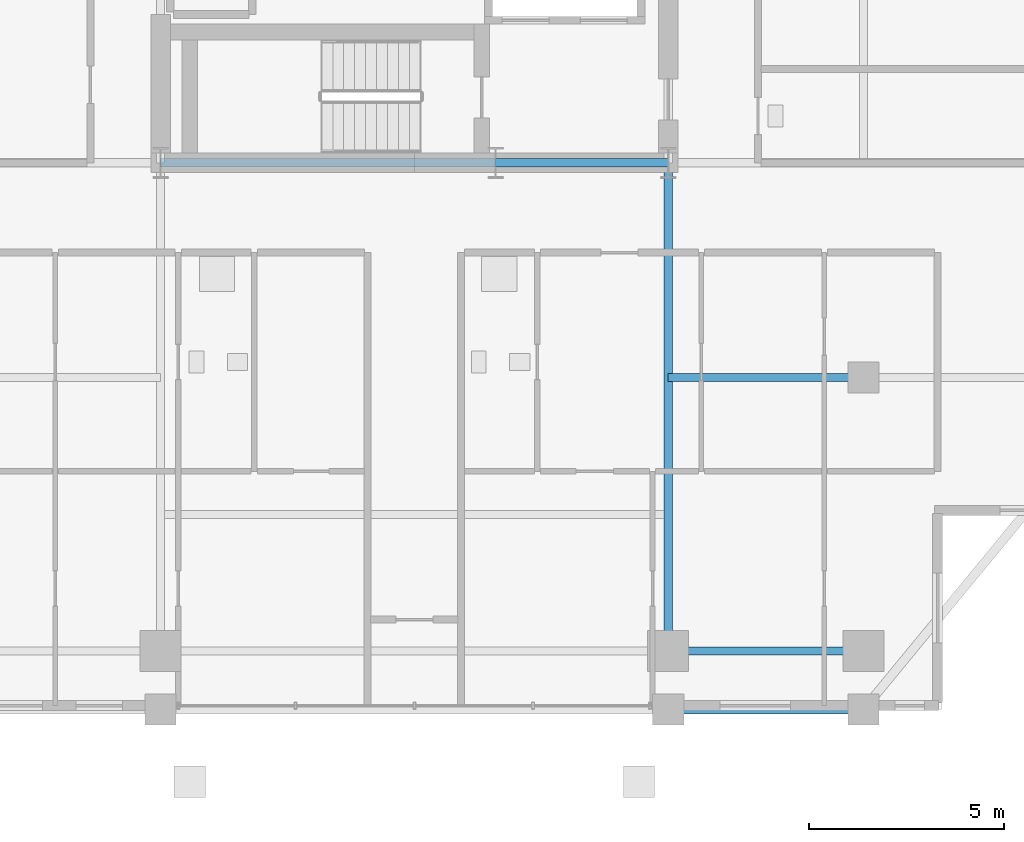
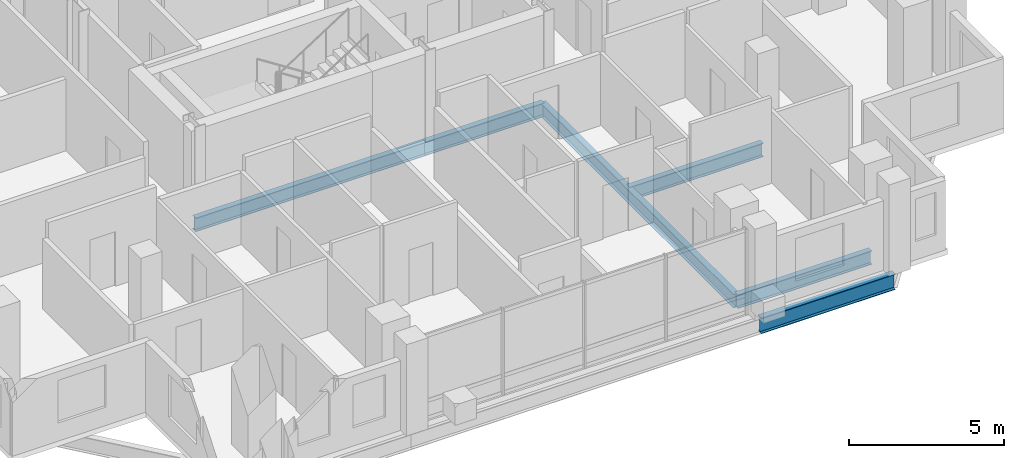
# One storey, part 5 of 24: 6 beams.
"""IFC4 building model written with IfcOpenShell, lengths in metres."""

from ifc_helpers import new_model, si_unit, direction, frame, origin, origin_2d, place, context, subcontext, project, spatial, i_section, extrude, material, material_profile, profile_set, type_object, element, save


model = new_model("IFC4")

# Units and contexts
model_context = context("Model", 3, precision=1e-05, world=origin(), true_north=direction((0.0, 1.0)))
body_context = subcontext(model_context, "Body", "Model", "MODEL_VIEW")
ifc_project = project(units=[si_unit("LENGTHUNIT", "METRE"), si_unit("AREAUNIT", "SQUARE_METRE"), si_unit("VOLUMEUNIT", "CUBIC_METRE"), si_unit("PLANEANGLEUNIT", "RADIAN"), si_unit("MASSUNIT", "GRAM", prefix="KILO")], contexts=[model_context])

# Site, building, storey
site_placement = place(None, origin())
site = spatial("IfcSite", under=ifc_project, at=site_placement, CompositionType="ELEMENT")
building_placement = place(site_placement, origin())
building = spatial("IfcBuilding", under=site, at=building_placement, Name="Barlavira Tower and Art Museum", CompositionType="ELEMENT")
storey_placement = place(building_placement, frame((0.0, 0.0, 201.60009765625)))
storey = spatial("IfcBuildingStorey", under=building, at=storey_placement, Name="L52", CompositionType="ELEMENT", Elevation=201.60009765625)

# Beams
ifc_material = material(Name="Steel S355", Category="steel")
ifc_material_profile_1 = material_profile(ifc_material, i_section(OverallWidth=0.22998046875, OverallDepth=0.616943359375, WebThickness=0.01318359375, FlangeThickness=0.022216796875, at=origin_2d()), Name="W610x140.0")
ifc_profile_set_1 = profile_set([ifc_material_profile_1], Name="Steel S355")
beam_type_1 = type_object("IfcBeamType", Name="Upper Shaft Spandrel Edge Beam W610x140 Steel S355", PredefinedType="SPANDREL", material=ifc_profile_set_1)
beam_1_placement = place(storey_placement, frame((6.5, -21.5, -0.528564453125), z_axis=(1.0, 0.0, 0.0), x_axis=(0.0, 1.0, 0.0)))
element("IfcBeam", 1, at=beam_1_placement, inside=storey, type_object=beam_type_1, Name="L52 Spandrel 3", PredefinedType="SPANDREL", context=body_context, shape_type="SweptSolid", body=[
    extrude(i_section(OverallWidth=0.22998046875, OverallDepth=0.616943359375, WebThickness=0.01318359375, FlangeThickness=0.022216796875, at=origin_2d()), origin(), (0.0, 0.0, 1.0), 5.0),
])
ifc_material_profile_2 = material_profile(ifc_material, i_section(OverallWidth=0.2109375, OverallDepth=0.5390625, WebThickness=0.01171875, FlangeThickness=0.018798828125, at=origin_2d()), Name="W530x109.0")
ifc_profile_set_2 = profile_set([ifc_material_profile_2], Name="Steel S355")
beam_type_2 = type_object("IfcBeamType", Name="Zone 3-4 Primary Floor Girder W530x109 Steel S355", PredefinedType="BEAM", material=ifc_profile_set_2)
beam_2_placement = place(storey_placement, frame((-6.5, -7.5, -0.489501953125), z_axis=(1.0, 0.0, 0.0), x_axis=(0.0, 1.0, 0.0)))
element("IfcBeam", 2, at=beam_2_placement, inside=storey, type_object=beam_type_2, Name="L52 Girder C-S1", PredefinedType="BEAM", context=body_context, shape_type="SweptSolid", body=[
    extrude(i_section(OverallWidth=0.2109375, OverallDepth=0.5390625, WebThickness=0.01171875, FlangeThickness=0.018798828125, at=origin_2d()), origin(), (0.0, 0.0, 1.0), 8.580078125),
])
beam_3_placement = place(storey_placement, frame((2.080078125, -7.5, -0.489501953125), z_axis=(1.0, 0.0, 0.0), x_axis=(0.0, 1.0, 0.0)))
element("IfcBeam", 3, at=beam_3_placement, inside=storey, type_object=beam_type_2, Name="L52 Girder C-S2", PredefinedType="BEAM", context=body_context, shape_type="SweptSolid", body=[
    extrude(i_section(OverallWidth=0.2109375, OverallDepth=0.5390625, WebThickness=0.01171875, FlangeThickness=0.018798828125, at=origin_2d()), origin(), (0.0, 0.0, 1.0), 4.419921875),
])
beam_4_placement = place(storey_placement, frame((6.5, -20.0, -0.489501953125), z_axis=(1.0, 0.0, 0.0), x_axis=(0.0, 1.0, 0.0)))
element("IfcBeam", 4, at=beam_4_placement, inside=storey, type_object=beam_type_2, Name="L52 Girder M-S3", PredefinedType="BEAM", context=body_context, shape_type="SweptSolid", body=[
    extrude(i_section(OverallWidth=0.2109375, OverallDepth=0.5390625, WebThickness=0.01171875, FlangeThickness=0.018798828125, at=origin_2d()), origin(), (0.0, 0.0, 1.0), 5.0),
])
beam_5_placement = place(storey_placement, frame((6.5, -20.0, -0.489501953125), z_axis=(0.0, 1.0, 0.0), x_axis=(-1.0, 0.0, 0.0)))
element("IfcBeam", 5, at=beam_5_placement, inside=storey, type_object=beam_type_2, Name="L52 Girder R-S2", PredefinedType="BEAM", context=body_context, shape_type="SweptSolid", body=[
    extrude(i_section(OverallWidth=0.2109375, OverallDepth=0.5390625, WebThickness=0.01171875, FlangeThickness=0.018798828125, at=origin_2d()), origin(), (0.0, 0.0, 1.0), 12.5),
])
beam_6_placement = place(storey_placement, frame((6.5, -13.0, -0.489501953125), z_axis=(1.0, 0.0, 0.0), x_axis=(0.0, 1.0, 0.0)))
element("IfcBeam", 6, at=beam_6_placement, inside=storey, type_object=beam_type_2, Name="L52 Girder I-S3", PredefinedType="BEAM", context=body_context, shape_type="SweptSolid", body=[
    extrude(i_section(OverallWidth=0.2109375, OverallDepth=0.5390625, WebThickness=0.01171875, FlangeThickness=0.018798828125, at=origin_2d()), origin(), (0.0, 0.0, 1.0), 5.0),
])

save(model, "model.ifc")
